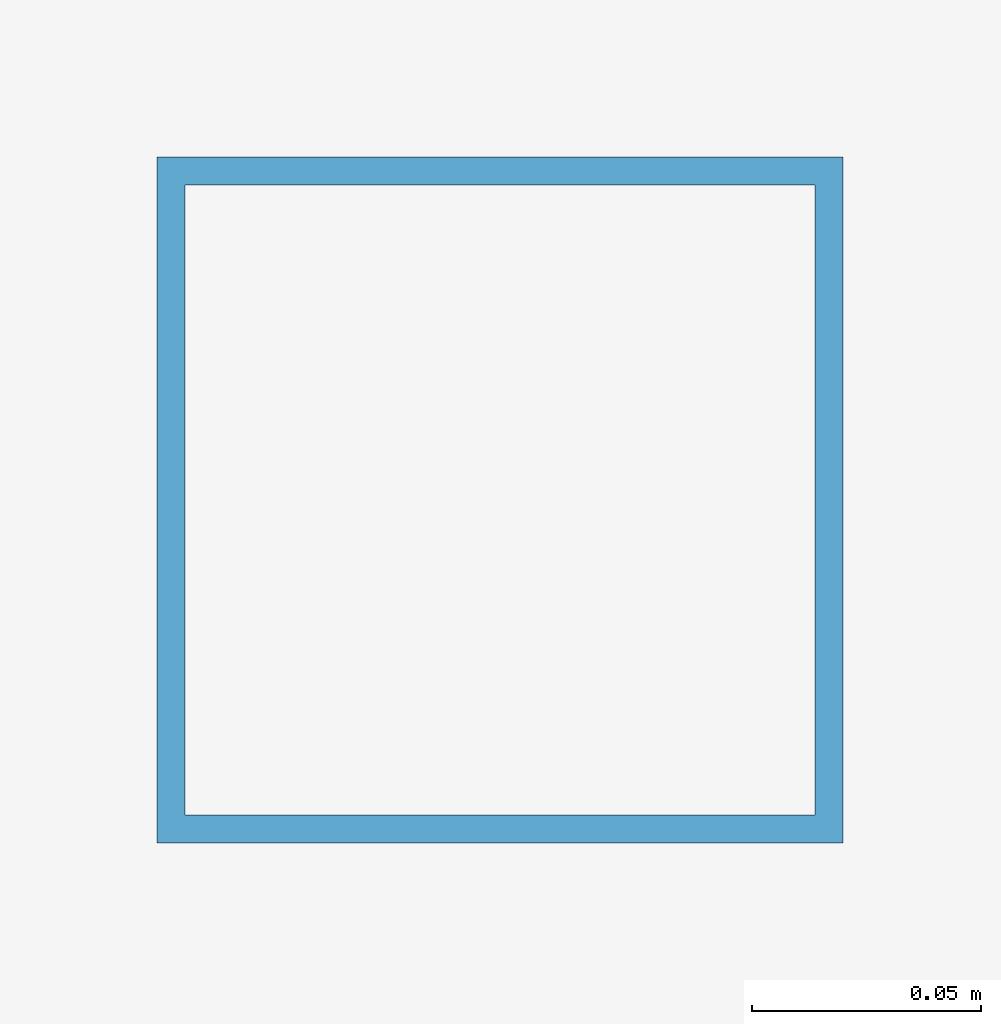
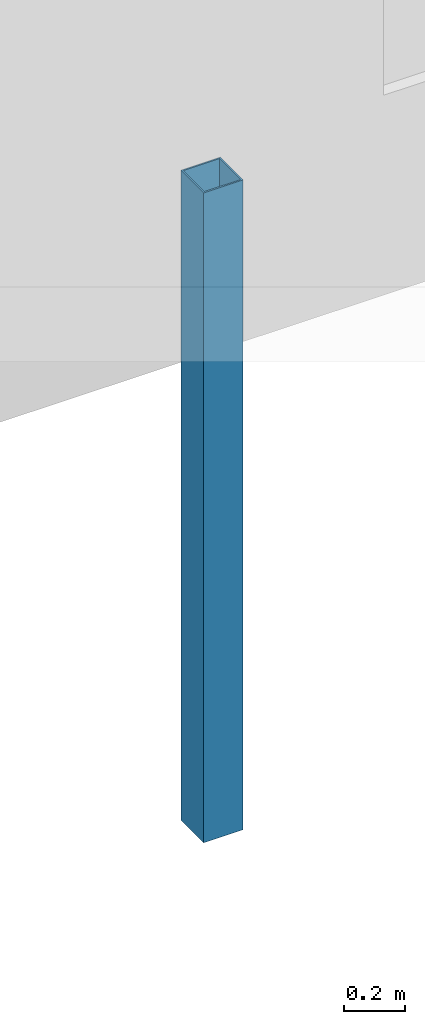
# One storey, part 20 of 67: 1 member.
"""IFC4 building model written with IfcOpenShell, lengths in metres."""

from ifc_helpers import new_model, si_unit, direction, frame, origin, origin_2d, place, context, subcontext, project, spatial, hollow_rectangle, extrude, material, material_profile, profile_set, type_object, element, save


model = new_model("IFC4")

# Units and contexts
model_context = context("Model", 3, precision=1e-05, world=origin(), true_north=direction((0.0, 1.0)))
body_context = subcontext(model_context, "Body", "Model", "MODEL_VIEW")
ifc_project = project(units=[si_unit("LENGTHUNIT", "METRE"), si_unit("AREAUNIT", "SQUARE_METRE"), si_unit("VOLUMEUNIT", "CUBIC_METRE"), si_unit("PLANEANGLEUNIT", "RADIAN"), si_unit("MASSUNIT", "GRAM", prefix="KILO")], contexts=[model_context])

# Site, building, storey
site_placement = place(None, origin())
site = spatial("IfcSite", under=ifc_project, at=site_placement, CompositionType="ELEMENT")
building_placement = place(site_placement, origin())
building = spatial("IfcBuilding", under=site, at=building_placement, Name="Aravalli Gate Trade Fair Centre", CompositionType="ELEMENT")
storey_placement = place(building_placement, frame((0.0, 0.0, 5.0)))
storey = spatial("IfcBuildingStorey", under=building, at=storey_placement, Name="L01", CompositionType="ELEMENT", Elevation=5.0)

# Member
ifc_material = material(Name="Steel E350", Category="steel")
ifc_material_profile = material_profile(ifc_material, hollow_rectangle(XDim=0.14990234375, YDim=0.14990234375, WallThickness=0.006103515625, at=origin_2d()), Name="SHS 150x150x6")
ifc_profile_set = profile_set([ifc_material_profile], Name="Steel E350")
member_type = type_object("IfcMemberType", Name="SHS 150x150x6 terrace pavilion post", PredefinedType="POST", material=ifc_profile_set)
member_placement = place(storey_placement, frame((114.0, 141.0, 0.0), z_axis=(0.0, 0.0, 1.0), x_axis=(1.0, 0.0, 0.0)))
element("IfcMember", 1, at=member_placement, inside=storey, type_object=member_type, Name="Terrace pavilion post 114.2", PredefinedType="POST", context=body_context, shape_type="SweptSolid", body=[
    extrude(hollow_rectangle(XDim=0.14990234375, YDim=0.14990234375, WallThickness=0.006103515625, at=origin_2d()), origin(), (0.0, 0.0, 1.0), 2.60009765625),
])

save(model, "model.ifc")
